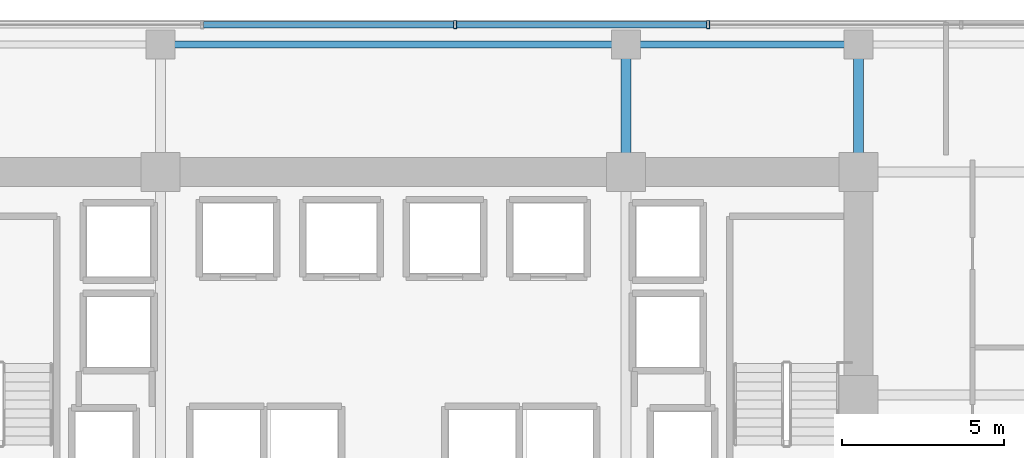
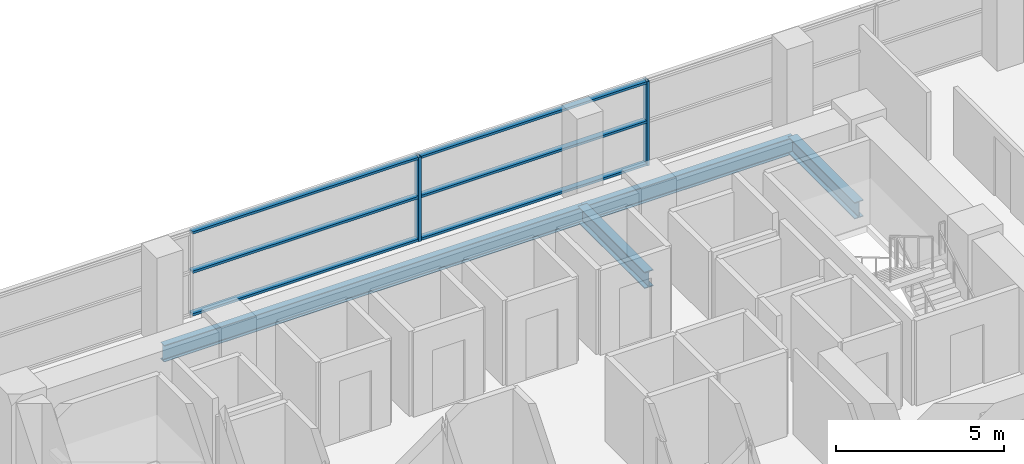
# One storey, part 18 of 30: 8 members, 4 beams, 1 element without a shape of its own.
"""IFC4 building model written with IfcOpenShell, lengths in metres."""

from ifc_helpers import new_model, si_unit, direction, frame, origin, origin_2d, place, context, subcontext, project, spatial, hollow_rectangle, i_section, extrude, source, transform, mapped, material, layer, layer_set, material_profile, profile_set, type_object, element, aggregate, save


model = new_model("IFC4")

# Units and contexts
model_context = context("Model", 3, precision=1e-05, world=origin(), true_north=direction((0.0, 1.0)))
body_context = subcontext(model_context, "Body", "Model", "MODEL_VIEW")
ifc_project = project(units=[si_unit("LENGTHUNIT", "METRE"), si_unit("AREAUNIT", "SQUARE_METRE"), si_unit("VOLUMEUNIT", "CUBIC_METRE"), si_unit("PLANEANGLEUNIT", "RADIAN"), si_unit("MASSUNIT", "GRAM", prefix="KILO")], contexts=[model_context])

# Site, building, storey
site_placement = place(None, origin())
site = spatial("IfcSite", under=ifc_project, at=site_placement, CompositionType="ELEMENT")
building_placement = place(site_placement, origin())
building = spatial("IfcBuilding", under=site, at=building_placement, Name="Zarnakvel Exchange Tower", CompositionType="ELEMENT")
storey_placement = place(building_placement, frame((0.0, 0.0, 43.89990234375)))
storey = spatial("IfcBuildingStorey", under=building, at=storey_placement, Name="L11", CompositionType="ELEMENT", Elevation=43.89990234375)

# Beams
ifc_material_1 = material(Name="Steel S355", Category="steel")
ifc_material_profile_1 = material_profile(ifc_material_1, i_section(OverallWidth=0.300048828125, OverallDepth=0.60009765625, WebThickness=0.015380859375, FlangeThickness=0.030029296875, FilletRadius=0.027099609375, at=origin_2d()))
ifc_profile_set_1 = profile_set([ifc_material_profile_1], Name="Steel S355")
beam_type_1 = type_object("IfcBeamType", Name="G-04", PredefinedType="BEAM", material=ifc_profile_set_1)
for number, where, z_axis, x_axis, name in (
    (1, (7.199951171875, 13.5, -0.52490234375), (0.0, 1.0, 0.0), (-1.0, 0.0, 0.0), "L11 Tower N-S Frame Beam"),
    (2, (14.39990234375, 13.5, -0.52490234375), (0.0, 1.0, 0.0), (-1.0, 0.0, 0.0), "L11 Tower N-S Frame Beam"),
):
    element("IfcBeam", number, at=place(storey_placement, frame(where, z_axis=z_axis, x_axis=x_axis)), inside=storey, type_object=beam_type_1, Name=name, PredefinedType="BEAM", context=body_context, shape_type="SweptSolid", body=[
        extrude(i_section(OverallWidth=0.300048828125, OverallDepth=0.60009765625, WebThickness=0.015380859375, FlangeThickness=0.030029296875, FilletRadius=0.027099609375, at=origin_2d()), origin(), (0.0, 0.0, 1.0), 3.949951171875),
    ])
ifc_material_profile_2 = material_profile(ifc_material_1, i_section(OverallWidth=0.219970703125, OverallDepth=0.60009765625, WebThickness=0.011962890625, FlangeThickness=0.01904296875, FilletRadius=0.02392578125, at=origin_2d()))
ifc_profile_set_2 = profile_set([ifc_material_profile_2], Name="Steel S355")
beam_type_2 = type_object("IfcBeamType", Name="SP-01", PredefinedType="SPANDREL", material=ifc_profile_set_2)
beam_1_placement = place(storey_placement, frame((-7.199951171875, 17.449951171875, -0.52490234375), z_axis=(1.0, 0.0, 0.0), x_axis=(0.0, 1.0, 0.0)))
element("IfcBeam", 3, at=beam_1_placement, inside=storey, type_object=beam_type_2, Name="L11 Tower E-W Frame Beam", PredefinedType="SPANDREL", context=body_context, shape_type="SweptSolid", body=[
    extrude(i_section(OverallWidth=0.219970703125, OverallDepth=0.60009765625, WebThickness=0.011962890625, FlangeThickness=0.01904296875, FilletRadius=0.02392578125, at=origin_2d()), origin(), (0.0, 0.0, 1.0), 14.39990234375),
])
beam_2_placement = place(storey_placement, frame((7.199951171875, 17.449951171875, -0.52490234375), z_axis=(1.0, 0.0, 0.0), x_axis=(0.0, 1.0, 0.0)))
element("IfcBeam", 4, at=beam_2_placement, inside=storey, type_object=beam_type_2, Name="L11 Tower E-W Frame Beam", PredefinedType="SPANDREL", context=body_context, shape_type="SweptSolid", body=[
    extrude(i_section(OverallWidth=0.219970703125, OverallDepth=0.60009765625, WebThickness=0.011962890625, FlangeThickness=0.01904296875, FilletRadius=0.02392578125, at=origin_2d()), origin(), (0.0, 0.0, 1.0), 7.199951171875),
])

# Curtain wall, members
ifc_material_2 = material(Name="Architectural Bronze Anodised Aluminium", Category="aluminium")
ifc_layer = layer(ifc_material_2, 0.239990234375)
ifc_layer_set = layer_set([ifc_layer], Name="Architectural Bronze Anodised Aluminium")
curtain_wall_type = type_object("IfcCurtainWallType", Name="CW-02", PredefinedType="NOTDEFINED", material=ifc_layer_set)
curtain_wall_placement = place(storey_placement, origin())
curtain_wall = element("IfcCurtainWall", 5, at=curtain_wall_placement, inside=storey, type_object=curtain_wall_type, Name="L11 Curtain Wall CW-L11-N1 (CW-02)", PredefinedType="NOTDEFINED")
ifc_material_profile_3 = material_profile(ifc_material_2, hollow_rectangle(XDim=0.239990234375, YDim=0.090087890625, WallThickness=0.006103515625, at=origin_2d()))
ifc_profile_set_3 = profile_set([ifc_material_profile_3], Name="Architectural Bronze Anodised Aluminium")
member_type_1 = type_object("IfcMemberType", Name="CWM-02", PredefinedType="MULLION", material=ifc_profile_set_3)
shared_shape_1 = source(origin(), body_context, "Body", "SweptSolid", [
    extrude(hollow_rectangle(XDim=0.239990234375, YDim=0.090087890625, WallThickness=0.006103515625, at=origin_2d()), origin(), (0.0, 0.0, 1.0), 3.05517578125),
])
member_1_placement = place(storey_placement, frame((1.914306640625, 18.06005859375, 0.0), z_axis=(0.0, 0.0, 1.0), x_axis=(0.0, 1.0, 0.0)))
member_1 = element("IfcMember", 6, at=member_1_placement, type_object=member_type_1, Name="CW-02 mullion 5", PredefinedType="MULLION", context=body_context, shape_type="MappedRepresentation", body=[
    mapped(shared_shape_1, transform((0.0, 0.0, 0.0), x_axis=(1.0, 0.0, 0.0), y_axis=(0.0, 1.0, 0.0), z_axis=(0.0, 0.0, 1.0), scale=1.0)),
])
member_2_placement = place(storey_placement, frame((9.742919921875, 18.06005859375, 0.0), z_axis=(0.0, 0.0, 1.0), x_axis=(0.0, 1.0, 0.0)))
member_2 = element("IfcMember", 7, at=member_2_placement, type_object=member_type_1, Name="CW-02 mullion 6", PredefinedType="MULLION", context=body_context, shape_type="MappedRepresentation", body=[
    mapped(shared_shape_1, transform((0.0, 0.0, 0.0), x_axis=(1.0, 0.0, 0.0), y_axis=(0.0, 1.0, 0.0), z_axis=(0.0, 0.0, 1.0), scale=1.0)),
])
ifc_material_profile_4 = material_profile(ifc_material_2, hollow_rectangle(XDim=0.199951171875, YDim=0.0849609375, WallThickness=0.0048828125, at=origin_2d()))
ifc_profile_set_4 = profile_set([ifc_material_profile_4], Name="Architectural Bronze Anodised Aluminium")
member_type_2 = type_object("IfcMemberType", Name="CWT-02", PredefinedType="USERDEFINED", material=ifc_profile_set_4)
shared_shape_2 = source(origin(), body_context, "Body", "SweptSolid", [
    extrude(hollow_rectangle(XDim=0.199951171875, YDim=0.0849609375, WallThickness=0.0048828125, at=origin_2d()), origin(), (0.0, 0.0, 1.0), 7.738525390625),
])
member_3_placement = place(storey_placement, frame((1.959228515625, 18.06005859375, 0.04248046875), z_axis=(1.0, 0.0, 0.0), x_axis=(0.0, 1.0, 0.0)))
member_3 = element("IfcMember", 8, at=member_3_placement, type_object=member_type_2, Name="CW-02 transom 5.1", ObjectType="TRANSOM", PredefinedType="USERDEFINED", context=body_context, shape_type="MappedRepresentation", body=[
    mapped(shared_shape_2, transform((0.0, 0.0, 0.0), x_axis=(1.0, 0.0, 0.0), y_axis=(0.0, 1.0, 0.0), z_axis=(0.0, 0.0, 1.0), scale=1.0)),
])
member_4_placement = place(storey_placement, frame((1.959228515625, 18.06005859375, 1.588623046875), z_axis=(1.0, 0.0, 0.0), x_axis=(0.0, 1.0, 0.0)))
member_4 = element("IfcMember", 9, at=member_4_placement, type_object=member_type_2, Name="CW-02 transom 5.2", ObjectType="TRANSOM", PredefinedType="USERDEFINED", context=body_context, shape_type="MappedRepresentation", body=[
    mapped(shared_shape_2, transform((0.0, 0.0, 0.0), x_axis=(1.0, 0.0, 0.0), y_axis=(0.0, 1.0, 0.0), z_axis=(0.0, 0.0, 1.0), scale=1.0)),
])
member_5_placement = place(storey_placement, frame((1.959228515625, 18.06005859375, 3.0126953125), z_axis=(1.0, 0.0, 0.0), x_axis=(0.0, 1.0, 0.0)))
member_5 = element("IfcMember", 10, at=member_5_placement, type_object=member_type_2, Name="CW-02 transom 5.3", ObjectType="TRANSOM", PredefinedType="USERDEFINED", context=body_context, shape_type="MappedRepresentation", body=[
    mapped(shared_shape_2, transform((0.0, 0.0, 0.0), x_axis=(1.0, 0.0, 0.0), y_axis=(0.0, 1.0, 0.0), z_axis=(0.0, 0.0, 1.0), scale=1.0)),
])
shared_shape_3 = source(origin(), body_context, "Body", "SweptSolid", [
    extrude(hollow_rectangle(XDim=0.199951171875, YDim=0.0849609375, WallThickness=0.0048828125, at=origin_2d()), origin(), (0.0, 0.0, 1.0), 7.73876953125),
])
member_6_placement = place(storey_placement, frame((-5.869384765625, 18.06005859375, 0.04248046875), z_axis=(1.0, 0.0, 0.0), x_axis=(0.0, 1.0, 0.0)))
member_6 = element("IfcMember", 11, at=member_6_placement, type_object=member_type_2, Name="CW-02 transom 4.1", ObjectType="TRANSOM", PredefinedType="USERDEFINED", context=body_context, shape_type="MappedRepresentation", body=[
    mapped(shared_shape_3, transform((0.0, 0.0, 0.0), x_axis=(1.0, 0.0, 0.0), y_axis=(0.0, 1.0, 0.0), z_axis=(0.0, 0.0, 1.0), scale=1.0)),
])
member_7_placement = place(storey_placement, frame((-5.869384765625, 18.06005859375, 1.588623046875), z_axis=(1.0, 0.0, 0.0), x_axis=(0.0, 1.0, 0.0)))
member_7 = element("IfcMember", 12, at=member_7_placement, type_object=member_type_2, Name="CW-02 transom 4.2", ObjectType="TRANSOM", PredefinedType="USERDEFINED", context=body_context, shape_type="MappedRepresentation", body=[
    mapped(shared_shape_3, transform((0.0, 0.0, 0.0), x_axis=(1.0, 0.0, 0.0), y_axis=(0.0, 1.0, 0.0), z_axis=(0.0, 0.0, 1.0), scale=1.0)),
])
member_8_placement = place(storey_placement, frame((-5.869384765625, 18.06005859375, 3.0126953125), z_axis=(1.0, 0.0, 0.0), x_axis=(0.0, 1.0, 0.0)))
member_8 = element("IfcMember", 13, at=member_8_placement, type_object=member_type_2, Name="CW-02 transom 4.3", ObjectType="TRANSOM", PredefinedType="USERDEFINED", context=body_context, shape_type="MappedRepresentation", body=[
    mapped(shared_shape_3, transform((0.0, 0.0, 0.0), x_axis=(1.0, 0.0, 0.0), y_axis=(0.0, 1.0, 0.0), z_axis=(0.0, 0.0, 1.0), scale=1.0)),
])
aggregate(curtain_wall, [member_1, member_2, member_6, member_7, member_8, member_3, member_4, member_5])

save(model, "model.ifc")
